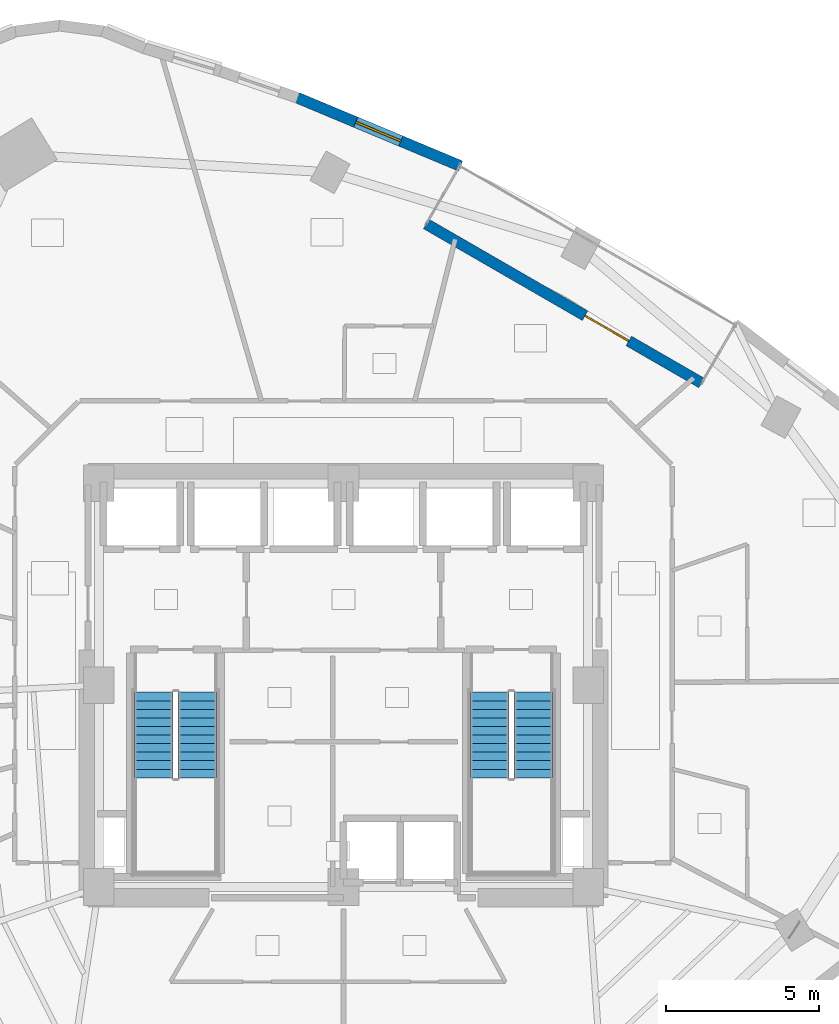
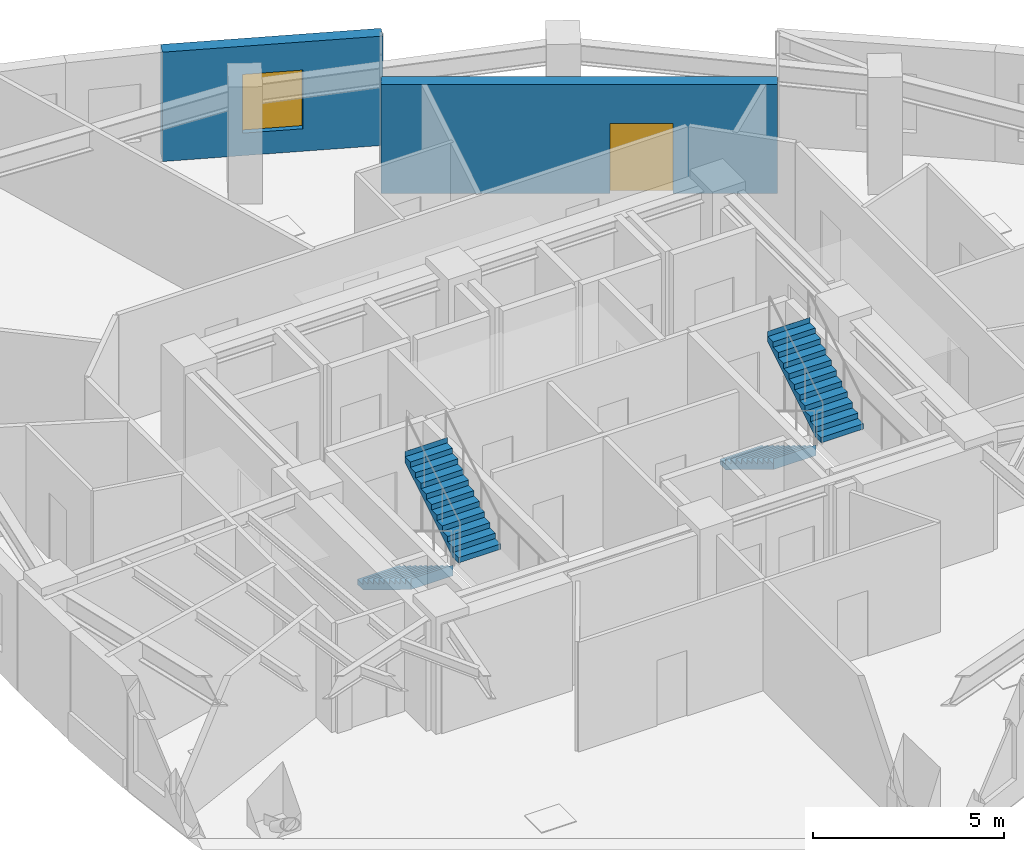
# One storey, part 11 of 14: 4 stair flights, 2 walls, 1 door, 1 window, 2 openings, 2 elements without a shape of their own.
"""IFC4 building model written with IfcOpenShell, lengths in metres."""

from ifc_helpers import new_model, si_unit, direction, frame, frame_2d, origin, place, context, subcontext, project, spatial, polyline, rectangle, outline, extrude, material, layer, layer_set, type_object, element, fill, aggregate, save


model = new_model("IFC4")

# Units and contexts
model_context = context("Model", 3, precision=1e-05, world=origin(), true_north=direction((0.0, 1.0)))
body_context = subcontext(model_context, "Body", "Model", "MODEL_VIEW")
ifc_project = project(units=[si_unit("LENGTHUNIT", "METRE"), si_unit("AREAUNIT", "SQUARE_METRE"), si_unit("VOLUMEUNIT", "CUBIC_METRE"), si_unit("PLANEANGLEUNIT", "RADIAN"), si_unit("MASSUNIT", "GRAM", prefix="KILO")], contexts=[model_context])

# Site, building, storey
site_placement = place(None, origin())
site = spatial("IfcSite", under=ifc_project, at=site_placement, CompositionType="ELEMENT")
building_placement = place(site_placement, origin())
building = spatial("IfcBuilding", under=site, at=building_placement, Name="Ndelora Gate Hotel", CompositionType="ELEMENT")
storey_placement = place(building_placement, frame((0.0, 0.0, 119.75)))
storey = spatial("IfcBuildingStorey", under=building, at=storey_placement, Name="L29", CompositionType="ELEMENT", Elevation=119.75)

# Wall, opening, door
ifc_material_1 = material(Name="Clay Brick Masonry", Category="masonry")
ifc_layer = layer(ifc_material_1, 0.360107421875)
ifc_layer_set = layer_set([ifc_layer], Name="Clay Brick Masonry")
wall_type = type_object("IfcWallType", Name="WL-BRICK-360", PredefinedType="SOLIDWALL", material=ifc_layer_set)
wall_1_placement = place(storey_placement, frame((2.70458984375, 15.084228515625, 0.0), z_axis=(0.0, 0.0, 1.0), x_axis=(0.866025696342, -0.499999493275, 0.0)))
wall_1 = element("IfcWall", 1, at=wall_1_placement, inside=storey, type_object=wall_type, Name="L29 Sky-Garden Loggia Rear Brick Wall", PredefinedType="SOLIDWALL", context=body_context, shape_type="SweptSolid", body=[
    extrude(rectangle(XDim=10.39990234375, YDim=0.360107421875, at=frame_2d((5.199951171875, 0.0))), origin(), (0.0, 0.0, 1.0), 3.5),
])
opening_1_placement = place(wall_1_placement, frame((6.0, 0.0, 0.0)))
opening_1 = element("IfcOpeningElement", 2, at=opening_1_placement, cuts=wall_1, Name="Opening TD1", PredefinedType="OPENING", context=body_context, shape_type="SweptSolid", body=[
    extrude(rectangle(XDim=1.64990234375, YDim=2.25, at=frame_2d((0.824951171875, 1.125))), frame((0.0, 0.18994140625, 0.0), z_axis=(0.0, -1.0, 0.0), x_axis=(1.0, 0.0, 0.0)), (0.0, 0.0, 1.0), 0.380126953125),
])
ifc_material_2 = material(Name="Architectural Bronze Glazed Door", Category="metal")
door_type = type_object("IfcDoorType", Name="DR-TER-1650", OperationType="DOUBLE_DOOR_SINGLE_SWING", PredefinedType="DOOR", material=ifc_material_2)
door_placement = place(opening_1_placement, origin())
door = element("IfcDoor", 3, at=door_placement, inside=storey, type_object=door_type, Name="L29 Sky-Garden Terrace Double Door TD1", OperationType="DOUBLE_DOOR_SINGLE_SWING", OverallHeight=2.25, OverallWidth=1.64990234375, PredefinedType="DOOR", context=body_context, shape_type="SweptSolid", body=[
    extrude(rectangle(XDim=1.64990234375, YDim=2.25, at=frame_2d((0.824951171875, 1.125))), frame((0.0, 0.02490234375, 0.0), z_axis=(0.0, -1.0, 0.0), x_axis=(1.0, 0.0, 0.0)), (0.0, 0.0, 1.0), 0.050048828125),
])
fill(opening_1, door)

# Wall, opening, window
wall_2_placement = place(storey_placement, frame((-1.547607421875, 19.229248046875, 0.0), z_axis=(0.0, 0.0, 1.0), x_axis=(0.922477078981, -0.386051860187, 0.0)))
wall_2 = element("IfcWall", 4, at=wall_2_placement, inside=storey, type_object=wall_type, Name="L29 Tower Brick Pier-and-Spandrel Wall TWR-56", PredefinedType="SOLIDWALL", context=body_context, shape_type="SweptSolid", body=[
    extrude(rectangle(XDim=5.826904296875, YDim=0.360107421875, at=frame_2d((2.91357421875, 0.0))), origin(), (0.0, 0.0, 1.0), 3.5),
])
opening_2_placement = place(wall_2_placement, frame((2.11328125, 0.0, 0.719970703125)))
opening_2 = element("IfcOpeningElement", 5, at=opening_2_placement, cuts=wall_2, Name="Opening W01", PredefinedType="OPENING", context=body_context, shape_type="SweptSolid", body=[
    extrude(rectangle(XDim=1.60009765625, YDim=1.8798828125, at=frame_2d((0.800048828125, 0.93994140625))), frame((0.0, 0.18994140625, 0.0), z_axis=(0.0, -1.0, 0.0), x_axis=(1.0, 0.0, 0.0)), (0.0, 0.0, 1.0), 0.380126953125),
])
ifc_material_3 = material(Name="Insulated Low-E Double Glazing in Bronze Aluminium Frame", Category="aluminium")
window_type = type_object("IfcWindowType", Name="WN-DEEP-1600", PartitioningType="SINGLE_PANEL", PredefinedType="WINDOW", material=ifc_material_3)
window_placement = place(opening_2_placement, origin())
window = element("IfcWindow", 6, at=window_placement, inside=storey, type_object=window_type, Name="L29 Deep-Set Brick-Pier Window W01", OverallHeight=1.8798828125, OverallWidth=1.60009765625, PartitioningType="SINGLE_PANEL", PredefinedType="WINDOW", context=body_context, shape_type="SweptSolid", body=[
    extrude(rectangle(XDim=1.60009765625, YDim=1.8798828125, at=frame_2d((0.800048828125, 0.93994140625))), frame((0.0, 0.030029296875, 0.0), z_axis=(0.0, -1.0, 0.0), x_axis=(1.0, 0.0, 0.0)), (0.0, 0.0, 1.0), 0.06005859375),
])
fill(opening_2, window)

# Stair, stair flights
ifc_material_4 = material(Name="Precast concrete C40/50", Category="concrete")
stair_type = type_object("IfcStairType", Name="STR-DOG-CORE", PredefinedType="HALF_TURN_STAIR", material=ifc_material_4)
stair_1_placement = place(storey_placement, origin())
stair_1 = element("IfcStair", 7, at=stair_1_placement, inside=storey, type_object=stair_type, Name="L29 Protected Core Exit Stair ST4", PredefinedType="HALF_TURN_STAIR")
stair_flight_type = type_object("IfcStairFlightType", Name="STF-PRECAST", PredefinedType="STRAIGHT", material=ifc_material_4)
stair_flight_1_placement = place(storey_placement, frame((-6.2099609375, -0.22998046875, 0.0), z_axis=(0.0, 0.0, 1.0), x_axis=(0.0, -1.0, 0.0)))
stair_flight_1 = element("IfcStairFlight", 8, at=stair_flight_1_placement, type_object=stair_flight_type, Name="ST4 flight 1", NumberOfRisers=11, NumberOfTreads=10, PredefinedType="STRAIGHT", RiserHeight=0.170454545, TreadLength=0.28, context=body_context, shape_type="SweptSolid", body=[
    extrude(outline(polyline([(-0.00048828125, 0.0), (-0.00048828125, 0.17041015625), (0.0, 0.17041015625), (0.280029296875, 0.17041015625), (0.280029296875, 0.3408203125), (0.56005859375, 0.3408203125), (0.56005859375, 0.511474609375), (0.840087890625, 0.511474609375), (0.840087890625, 0.681884765625), (1.1201171875, 0.681884765625), (1.1201171875, 0.852294921875), (1.39990234375, 0.852294921875), (1.39990234375, 1.022705078125), (1.679931640625, 1.022705078125), (1.679931640625, 1.193115234375), (1.9599609375, 1.193115234375), (1.9599609375, 1.363525390625), (2.239990234375, 1.363525390625), (2.239990234375, 1.5341796875), (2.52001953125, 1.5341796875), (2.52001953125, 1.70458984375), (2.800048828125, 1.70458984375), (2.800048828125, 1.875), (2.800537109375, 1.875), (2.800537109375, 1.695068359375), (2.800048828125, 1.529052734375), (0.288330078125, 0.0), (-0.00048828125, 0.0)])), frame((0.0, 0.64013671875, 0.0), z_axis=(0.0, -1.0, 0.0), x_axis=(1.0, 0.0, 0.0)), (0.0, 0.0, 1.0), 1.280029296875),
])
stair_flight_2_placement = place(storey_placement, frame((-4.77001953125, -3.030029296875, 1.875), z_axis=(0.0, 0.0, 1.0), x_axis=(0.0, 1.0, 0.0)))
stair_flight_2 = element("IfcStairFlight", 9, at=stair_flight_2_placement, type_object=stair_flight_type, Name="ST4 flight 2", NumberOfRisers=11, NumberOfTreads=10, PredefinedType="STRAIGHT", RiserHeight=0.170454545, TreadLength=0.28, context=body_context, shape_type="SweptSolid", body=[
    extrude(outline(polyline([(-0.00048828125, 0.0), (-0.00048828125, 0.17041015625), (0.0, 0.17041015625), (0.280029296875, 0.17041015625), (0.280029296875, 0.3408203125), (0.56005859375, 0.3408203125), (0.56005859375, 0.511474609375), (0.840087890625, 0.511474609375), (0.840087890625, 0.681884765625), (1.1201171875, 0.681884765625), (1.1201171875, 0.852294921875), (1.39990234375, 0.852294921875), (1.39990234375, 1.022705078125), (1.679931640625, 1.022705078125), (1.679931640625, 1.193115234375), (1.9599609375, 1.193115234375), (1.9599609375, 1.363525390625), (2.239990234375, 1.363525390625), (2.239990234375, 1.5341796875), (2.52001953125, 1.5341796875), (2.52001953125, 1.70458984375), (2.800048828125, 1.70458984375), (2.800048828125, 1.875), (2.800537109375, 1.875), (2.800537109375, 1.695068359375), (2.800048828125, 1.529052734375), (0.288330078125, 0.0), (-0.00048828125, 0.0)])), frame((0.0, 0.64013671875, 0.0), z_axis=(0.0, -1.0, 0.0), x_axis=(1.0, 0.0, 0.0)), (0.0, 0.0, 1.0), 1.280029296875),
])
aggregate(stair_1, [stair_flight_1, stair_flight_2])

stair_2_placement = place(storey_placement, origin())
stair_2 = element("IfcStair", 10, at=stair_2_placement, inside=storey, type_object=stair_type, Name="L29 Protected Core Exit Stair ST5", PredefinedType="HALF_TURN_STAIR")
stair_flight_3_placement = place(storey_placement, frame((4.77001953125, -0.22998046875, 0.0), z_axis=(0.0, 0.0, 1.0), x_axis=(0.0, -1.0, 0.0)))
stair_flight_3 = element("IfcStairFlight", 11, at=stair_flight_3_placement, type_object=stair_flight_type, Name="ST5 flight 1", NumberOfRisers=11, NumberOfTreads=10, PredefinedType="STRAIGHT", RiserHeight=0.170454545, TreadLength=0.28, context=body_context, shape_type="SweptSolid", body=[
    extrude(outline(polyline([(-0.00048828125, 0.0), (-0.00048828125, 0.17041015625), (0.0, 0.17041015625), (0.280029296875, 0.17041015625), (0.280029296875, 0.3408203125), (0.56005859375, 0.3408203125), (0.56005859375, 0.511474609375), (0.840087890625, 0.511474609375), (0.840087890625, 0.681884765625), (1.1201171875, 0.681884765625), (1.1201171875, 0.852294921875), (1.39990234375, 0.852294921875), (1.39990234375, 1.022705078125), (1.679931640625, 1.022705078125), (1.679931640625, 1.193115234375), (1.9599609375, 1.193115234375), (1.9599609375, 1.363525390625), (2.239990234375, 1.363525390625), (2.239990234375, 1.5341796875), (2.52001953125, 1.5341796875), (2.52001953125, 1.70458984375), (2.800048828125, 1.70458984375), (2.800048828125, 1.875), (2.800537109375, 1.875), (2.800537109375, 1.695068359375), (2.800048828125, 1.529052734375), (0.288330078125, 0.0), (-0.00048828125, 0.0)])), frame((0.0, 0.64013671875, 0.0), z_axis=(0.0, -1.0, 0.0), x_axis=(1.0, 0.0, 0.0)), (0.0, 0.0, 1.0), 1.280029296875),
])
stair_flight_4_placement = place(storey_placement, frame((6.2099609375, -3.030029296875, 1.875), z_axis=(0.0, 0.0, 1.0), x_axis=(0.0, 1.0, 0.0)))
stair_flight_4 = element("IfcStairFlight", 12, at=stair_flight_4_placement, type_object=stair_flight_type, Name="ST5 flight 2", NumberOfRisers=11, NumberOfTreads=10, PredefinedType="STRAIGHT", RiserHeight=0.170454545, TreadLength=0.28, context=body_context, shape_type="SweptSolid", body=[
    extrude(outline(polyline([(-0.00048828125, 0.0), (-0.00048828125, 0.17041015625), (0.0, 0.17041015625), (0.280029296875, 0.17041015625), (0.280029296875, 0.3408203125), (0.56005859375, 0.3408203125), (0.56005859375, 0.511474609375), (0.840087890625, 0.511474609375), (0.840087890625, 0.681884765625), (1.1201171875, 0.681884765625), (1.1201171875, 0.852294921875), (1.39990234375, 0.852294921875), (1.39990234375, 1.022705078125), (1.679931640625, 1.022705078125), (1.679931640625, 1.193115234375), (1.9599609375, 1.193115234375), (1.9599609375, 1.363525390625), (2.239990234375, 1.363525390625), (2.239990234375, 1.5341796875), (2.52001953125, 1.5341796875), (2.52001953125, 1.70458984375), (2.800048828125, 1.70458984375), (2.800048828125, 1.875), (2.800537109375, 1.875), (2.800537109375, 1.695068359375), (2.800048828125, 1.529052734375), (0.288330078125, 0.0), (-0.00048828125, 0.0)])), frame((0.0, 0.64013671875, 0.0), z_axis=(0.0, -1.0, 0.0), x_axis=(1.0, 0.0, 0.0)), (0.0, 0.0, 1.0), 1.280029296875),
])
aggregate(stair_2, [stair_flight_3, stair_flight_4])

save(model, "model.ifc")
